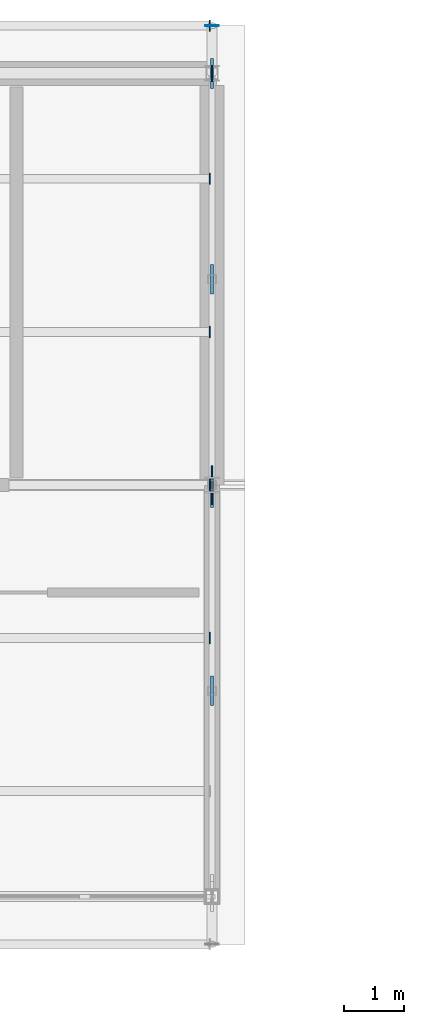
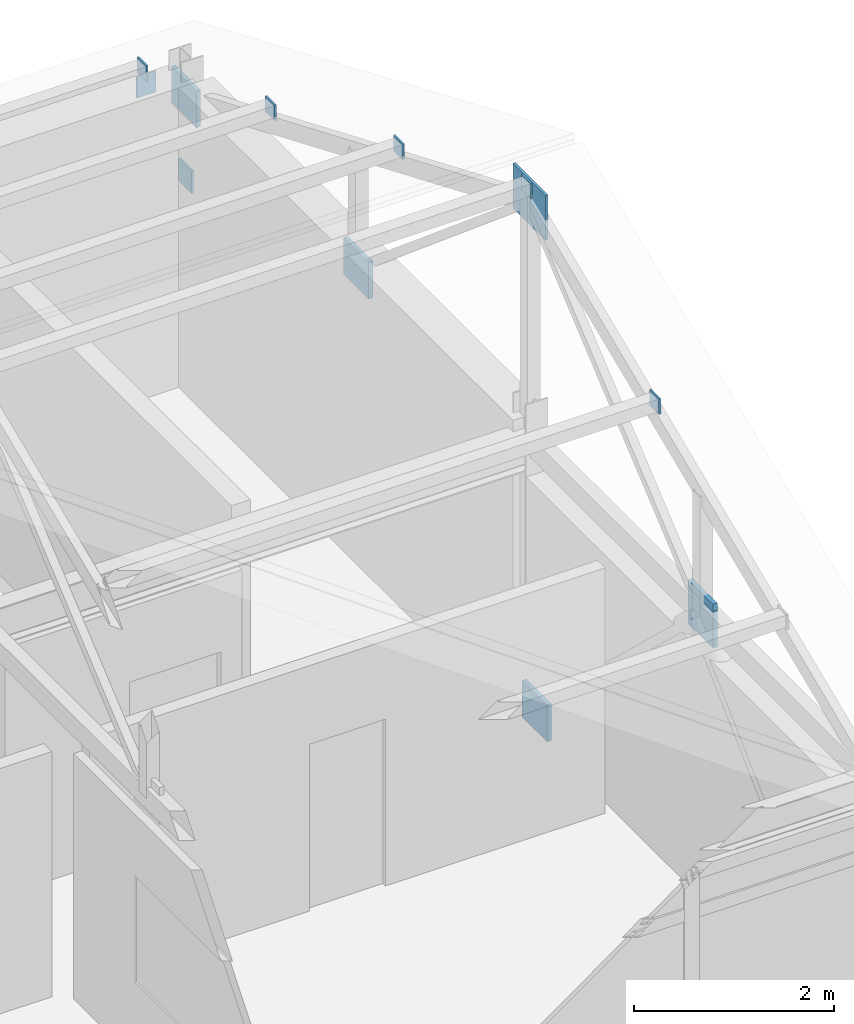
# One storey, part 7 of 11: 13 plates.
"""IFC4 building model written with IfcOpenShell, lengths in metres."""

from ifc_helpers import new_model, si_unit, direction, frame, origin, origin_2d, place, context, subcontext, project, spatial, rectangle, extrude, material, layer, layer_set, type_object, element, save


model = new_model("IFC4")

# Units and contexts
model_context = context("Model", 3, precision=1e-05, world=origin(), true_north=direction((0.0, 1.0)))
body_context = subcontext(model_context, "Body", "Model", "MODEL_VIEW")
ifc_project = project(units=[si_unit("LENGTHUNIT", "METRE"), si_unit("AREAUNIT", "SQUARE_METRE"), si_unit("VOLUMEUNIT", "CUBIC_METRE"), si_unit("PLANEANGLEUNIT", "RADIAN"), si_unit("MASSUNIT", "GRAM", prefix="KILO")], contexts=[model_context])

# Site, building, storey
site_placement = place(None, origin())
site = spatial("IfcSite", under=ifc_project, at=site_placement, CompositionType="ELEMENT")
building_placement = place(site_placement, origin())
building = spatial("IfcBuilding", under=site, at=building_placement, Name="Trelmorton Wharf Fire Station", CompositionType="ELEMENT")
storey_placement = place(building_placement, frame((0.0, 0.0, 25.199951171875)))
storey = spatial("IfcBuildingStorey", under=building, at=storey_placement, Name="L06", CompositionType="ELEMENT", Elevation=25.199951171875)

# Plates
ifc_material = material(Name="Steel Grade 350", Category="steel")
ifc_layer_1 = layer(ifc_material, 0.011962890625)
ifc_layer_set_1 = layer_set([ifc_layer_1], Name="Steel Grade 350")
plate_type_1 = type_object("IfcPlateType", Name="PL_ENDCAP_12", PredefinedType="SHEET", material=ifc_layer_set_1)
plate_1_placement = place(storey_placement, frame((90.0, 74.89990234375, 2.90087890625), z_axis=(0.0, 0.0, 1.0), x_axis=(1.0, 0.0, 0.0)))
element("IfcPlate", 1, at=plate_1_placement, inside=storey, type_object=plate_type_1, Name="PL-EC-0149", PredefinedType="SHEET", context=body_context, shape_type="SweptSolid", body=[
    extrude(rectangle(XDim=0.219970703125, YDim=0.011962890625, at=origin_2d()), origin(), (0.0, 0.0, 1.0), 0.260009765625),
])
for number, where, z_axis, x_axis, name in (
    (2, (89.9609375, 64.63330078125, 5.29296875), (0.0, 0.0, 1.0), (1.0, 0.0, 0.0), "PL-PREC-B-0184"),
    (3, (89.9609375, 67.199951171875, 6.371826171875), (0.0, 0.0, 1.0), (1.0, 0.0, 0.0), "PL-PREC-B-0186"),
    (4, (89.9609375, 69.7666015625, 5.29296875), (0.0, 0.0, 1.0), (1.0, 0.0, 0.0), "PL-PREC-B-0188"),
    (5, (89.9609375, 72.333251953125, 4.21435546875), (0.0, 0.0, 1.0), (1.0, 0.0, 0.0), "PL-PREC-B-0190"),
    (6, (89.9609375, 74.89990234375, 3.135498046875), (0.0, 0.0, 1.0), (1.0, 0.0, 0.0), "PL-PREC-B-0192"),
):
    element("IfcPlate", number, at=place(storey_placement, frame(where, z_axis=z_axis, x_axis=x_axis)), inside=storey, type_object=plate_type_1, Name=name, PredefinedType="SHEET", context=body_context, shape_type="SweptSolid", body=[
        extrude(rectangle(XDim=0.02001953125, YDim=0.18994140625, at=origin_2d()), origin(), (0.0, 0.0, 1.0), 0.18994140625),
    ])
ifc_layer_2 = layer(ifc_material, 0.02001953125)
ifc_layer_set_2 = layer_set([ifc_layer_2], Name="Steel Grade 350")
plate_type_2 = type_object("IfcPlateType", Name="PL_ENDCAP_20", PredefinedType="SHEET", material=ifc_layer_set_2)
plate_2_placement = place(storey_placement, frame((90.0, 74.10009765625, 2.26025390625), z_axis=(0.0, 0.0, 1.0), x_axis=(1.0, 0.0, 0.0)))
element("IfcPlate", 7, at=plate_2_placement, inside=storey, type_object=plate_type_2, Name="PL-EC-0150", PredefinedType="SHEET", context=body_context, shape_type="SweptSolid", body=[
    extrude(rectangle(XDim=0.02001953125, YDim=0.260009765625, at=origin_2d()), origin(), (0.0, 0.0, 1.0), 0.280029296875),
])
ifc_layer_3 = layer(ifc_material, 0.030029296875)
ifc_layer_set_3 = layer_set([ifc_layer_3], Name="Steel Grade 350")
plate_type_3 = type_object("IfcPlateType", Name="PL_GUSSET_TN1", PredefinedType="USERDEFINED", material=ifc_layer_set_3)
plate_3_placement = place(storey_placement, frame((90.0, 67.199951171875, 5.99169921875), z_axis=(0.0, 0.0, 1.0), x_axis=(1.0, 0.0, 0.0)))
element("IfcPlate", 8, at=plate_3_placement, inside=storey, type_object=plate_type_3, Name="PL-TN-0346", ObjectType="GUSSET PLATE", PredefinedType="USERDEFINED", context=body_context, shape_type="SweptSolid", body=[
    extrude(rectangle(XDim=0.030029296875, YDim=0.64990234375, at=origin_2d()), origin(), (0.0, 0.0, 1.0), 0.550048828125),
])
ifc_layer_4 = layer(ifc_material, 0.050048828125)
ifc_layer_set_4 = layer_set([ifc_layer_4], Name="Steel Grade 350")
plate_type_4 = type_object("IfcPlateType", Name="PL_GUSSET_TN2", PredefinedType="USERDEFINED", material=ifc_layer_set_4)
for number, where, z_axis, x_axis, name in (
    (9, (90.0, 74.10009765625, 3.14208984375), (0.0, 0.0, 1.0), (1.0, 0.0, 0.0), "PL-TN-0345"),
    (10, (90.0, 63.75, 3.14208984375), (0.0, 0.0, 1.0), (1.0, 0.0, 0.0), "PL-TN-0347"),
    (11, (90.0, 70.64990234375, 3.14208984375), (0.0, 0.0, 1.0), (1.0, 0.0, 0.0), "PL-TN-0348"),
    (12, (90.0, 67.072998046875, -0.10498046875), (0.0, 0.0, 1.0), (1.0, 0.0, 0.0), "PL-CBF-0440"),
    (13, (90.0, 63.75, 3.05517578125), (0.0, 0.0, 1.0), (1.0, 0.0, 0.0), "PL-CBF-0441"),
):
    element("IfcPlate", number, at=place(storey_placement, frame(where, z_axis=z_axis, x_axis=x_axis)), inside=storey, type_object=plate_type_4, Name=name, ObjectType="GUSSET PLATE", PredefinedType="USERDEFINED", context=body_context, shape_type="SweptSolid", body=[
        extrude(rectangle(XDim=0.050048828125, YDim=0.5, at=origin_2d()), origin(), (0.0, 0.0, 1.0), 0.449951171875),
    ])

save(model, "model.ifc")
